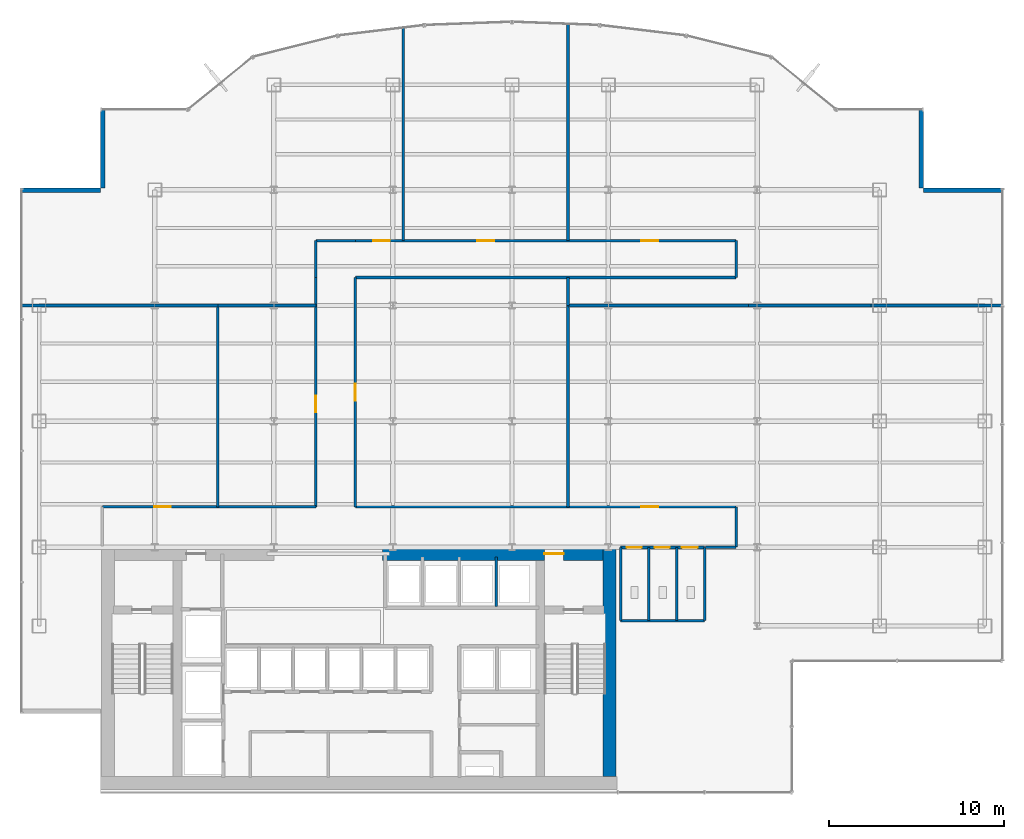
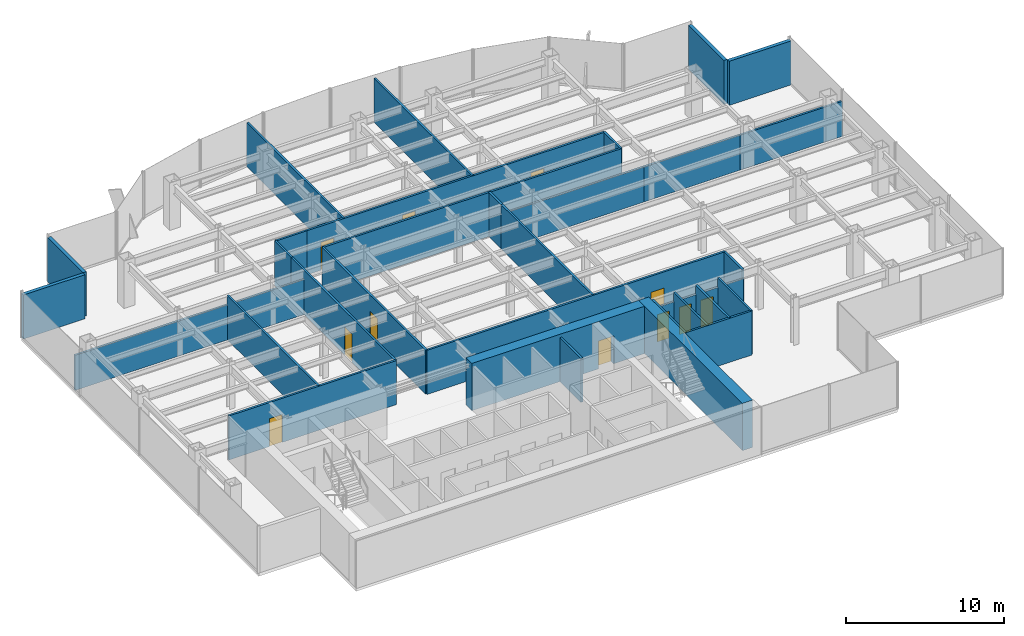
# One storey, part 22 of 26: 34 walls, 11 doors, 11 openings.
"""IFC4 building model written with IfcOpenShell, lengths in metres."""

import ifcopenshell
import ifcopenshell.guid

model = None  # the IFC model being written
_history = None  # IfcOwnerHistory: only IFC2X3 demands one
_inside = {}  # id of a spatial element -> (the spatial element, [elements in it])
_under = {}  # id of a project, library or spatial element -> (it, [spatial elements below it])
_declared = {}  # id of a project -> (the project, [libraries it declares])
_typed = {}  # id of a type object -> (the type object, [elements of that type])
_made_of = {}  # id of a material, layer set ... -> (it, [elements and type objects made of it])


def new_model(schema):
    """Start an empty IFC model of exactly this schema.

    Asked for "IFC4X3", IfcOpenShell would pick the latest addendum, in which some entities
    have other attributes; the version numbers below select the first issue.
    IFC2X3 requires an IfcOwnerHistory on every rooted entity: one is made here for all.
    """
    global model, _history
    if schema == "IFC4X3":
        model = ifcopenshell.file(schema_version=(4, 3, 0, 0))
    else:
        model = ifcopenshell.file(schema=schema)
    _inside.clear()
    _under.clear()
    _declared.clear()
    _typed.clear()
    _made_of.clear()
    _history = None
    if model.schema == "IFC2X3":
        org = make("IfcOrganization", Name="unknown")
        user = make(
            "IfcPersonAndOrganization",
            ThePerson=make("IfcPerson", FamilyName="unknown"),
            TheOrganization=org,
        )
        app = make(
            "IfcApplication",
            ApplicationDeveloper=org,
            Version="unknown",
            ApplicationFullName="unknown",
            ApplicationIdentifier="unknown",
        )
        _history = make(
            "IfcOwnerHistory",
            OwningUser=user,
            OwningApplication=app,
            ChangeAction="ADDED",
            CreationDate=0,
        )
    return model


def make(cls, **values):
    """One entity of the class cls with the attributes given. An attribute that is None is left unset."""
    return model.create_entity(
        cls, **{name: value for name, value in values.items() if value is not None}
    )


def rooted(cls, **values):
    """An entity with a GlobalId (a new one), such as an element, a storey or a relation."""
    return make(cls, GlobalId=ifcopenshell.guid.new(), OwnerHistory=_history, **values)


def si_unit(unit_type, name, prefix=None):
    """IfcSIUnit, for example si_unit("LENGTHUNIT", "METRE", prefix="MILLI")."""
    return make("IfcSIUnit", UnitType=unit_type, Prefix=prefix, Name=name)


def derived_unit(unit_type, elements):
    """IfcDerivedUnit: a product of units, each with its exponent."""
    return make(
        "IfcDerivedUnit",
        Elements=[
            make("IfcDerivedUnitElement", Unit=unit, Exponent=power)
            for unit, power in elements
        ],
        UnitType=unit_type,
    )


def assignment(units):
    """IfcUnitAssignment: the units of a project."""
    return None if units is None else make("IfcUnitAssignment", Units=units)


def point(xyz):
    """IfcCartesianPoint."""
    return None if xyz is None else make("IfcCartesianPoint", Coordinates=xyz)


def direction(xyz):
    """IfcDirection."""
    return None if xyz is None else make("IfcDirection", DirectionRatios=xyz)


def frame(location, z_axis=None, x_axis=None):
    """IfcAxis2Placement3D, a coordinate frame: its origin and axes. An axis left out is left unset."""
    return make(
        "IfcAxis2Placement3D",
        Location=point(location),
        Axis=direction(z_axis),
        RefDirection=direction(x_axis),
    )


def frame_2d(location, x_axis=None):
    """IfcAxis2Placement2D, a coordinate frame in the plane: its origin and x axis."""
    return make(
        "IfcAxis2Placement2D", Location=point(location), RefDirection=direction(x_axis)
    )


def origin():
    """The frame at (0, 0, 0) with its axes left unset."""
    return frame((0.0, 0.0, 0.0))


def place(relative_to, where):
    """IfcLocalPlacement: puts the frame where relative to a parent placement (None: the world)."""
    return make(
        "IfcLocalPlacement", PlacementRelTo=relative_to, RelativePlacement=where
    )


def context(
    kind, dimensions, precision=None, world=None, true_north=None, identifier=None
):
    """IfcGeometricRepresentationContext, for example the 3D "Model" context."""
    return make(
        "IfcGeometricRepresentationContext",
        ContextIdentifier=identifier,
        ContextType=kind,
        CoordinateSpaceDimension=dimensions,
        Precision=precision,
        WorldCoordinateSystem=world,
        TrueNorth=true_north,
    )


def subcontext(parent, identifier, kind, view, scale=None):
    """IfcGeometricRepresentationSubContext, for example "Body" below "Model"."""
    return make(
        "IfcGeometricRepresentationSubContext",
        ContextIdentifier=identifier,
        ContextType=kind,
        ParentContext=parent,
        TargetScale=scale,
        TargetView=view,
    )


def project(units=None, contexts=None):
    """IfcProject with its units and contexts."""
    return rooted(
        "IfcProject",
        Name="project",
        RepresentationContexts=contexts,
        UnitsInContext=assignment(units),
    )


def spatial(cls, under=None, at=None, **own):
    """A site, building, storey or space (cls), placed at a placement, below another one or the project."""
    s = rooted(cls, ObjectPlacement=at, **own)
    if under is not None:
        _under.setdefault(under.id(), (under, []))[1].append(s)
    return s


def profile(cls, at=None, kind="AREA", **sizes):
    """A parametric profile (cls). Its sizes go by their IFC names, for example OverallWidth=200.0."""
    return make(cls, ProfileType=kind, Position=at, **sizes)


def rectangle(**sizes):
    """IfcRectangleProfileDef."""
    return profile("IfcRectangleProfileDef", **sizes)


def extrude(swept, where, along, depth):
    """IfcExtrudedAreaSolid: the profile swept, set in the frame where, extruded along a direction by depth."""
    return make(
        "IfcExtrudedAreaSolid",
        SweptArea=swept,
        Position=where,
        ExtrudedDirection=direction(along),
        Depth=depth,
    )


def shape(context_of_items, identifier, shape_type, items):
    """IfcShapeRepresentation: the items that make up one representation, for example the "Body"."""
    return make(
        "IfcShapeRepresentation",
        ContextOfItems=context_of_items,
        RepresentationIdentifier=identifier,
        RepresentationType=shape_type,
        Items=items,
    )


def source(mapping_origin, context_of_items, identifier, shape_type, items):
    """IfcRepresentationMap: a shape defined once, which mapped items show again and again."""
    return make(
        "IfcRepresentationMap",
        MappingOrigin=mapping_origin,
        MappedRepresentation=shape(context_of_items, identifier, shape_type, items),
    )


def transform(
    local_origin,
    x_axis=None,
    y_axis=None,
    z_axis=None,
    scale=None,
    scale2=None,
    scale3=None,
    uniform=True,
):
    """IfcCartesianTransformationOperator3D, or its non-uniform kind. x_axis, y_axis, z_axis: its Axis1, 2, 3."""
    if uniform:
        return make(
            "IfcCartesianTransformationOperator3D",
            Axis1=direction(x_axis),
            Axis2=direction(y_axis),
            LocalOrigin=point(local_origin),
            Scale=scale,
            Axis3=direction(z_axis),
        )
    return make(
        "IfcCartesianTransformationOperator3DnonUniform",
        Axis1=direction(x_axis),
        Axis2=direction(y_axis),
        LocalOrigin=point(local_origin),
        Scale=scale,
        Axis3=direction(z_axis),
        Scale2=scale2,
        Scale3=scale3,
    )


def mapped(mapping_source, mapping_target):
    """IfcMappedItem: shows the shape of a source again, moved by a transform."""
    return make(
        "IfcMappedItem", MappingSource=mapping_source, MappingTarget=mapping_target
    )


def material(Name=None, Category=None):
    """IfcMaterial."""
    return make("IfcMaterial", Name=Name, Category=Category)


def layer(
    of_material, thickness, ventilated=None, Name=None, Category=None, Priority=None
):
    """IfcMaterialLayer: one layer of a wall or slab, of a material (None: an air gap)."""
    return make(
        "IfcMaterialLayer",
        Material=of_material,
        LayerThickness=thickness,
        IsVentilated=ventilated,
        Name=Name,
        Category=Category,
        Priority=Priority,
    )


def layer_set(layers, Name=None):
    """IfcMaterialLayerSet."""
    return make("IfcMaterialLayerSet", MaterialLayers=layers, LayerSetName=Name)


def made_of(thing, what):
    """Note that an element or type object is made of a material, layer set ...; save() writes the relation."""
    if what is not None:
        _made_of.setdefault(what.id(), (what, []))[1].append(thing)
    return thing


def type_object(cls, material=None, **own):
    """A type object (cls), such as IfcWallType, which elements share."""
    return made_of(rooted(cls, **own), material)


def element(
    cls,
    number,
    at=None,
    inside=None,
    cuts=None,
    type_object=None,
    material=None,
    context=None,
    identifier="Body",
    shape_type=None,
    held_by="IfcProductDefinitionShape",
    body=None,
    shapes=None,
    **own,
):
    """One element of the class cls, such as IfcWall. Its Tag is "e" and its number.

    at: its placement. inside: the storey or other place that contains it. cuts: it is an
    opening in that element (IfcRelVoidsElement). A single representation is given by context,
    identifier, shape_type and body (its items); several are given by shapes. held_by: the class
    of the entity that holds the representations. save() writes the other relations.
    """
    e = rooted(cls, Tag="e%d" % number, ObjectPlacement=at, **own)
    if body is not None:
        shapes = [shape(context, identifier, shape_type, body)]
    if shapes is not None:
        e.Representation = make(held_by, Representations=shapes)
    if inside is not None:
        _inside.setdefault(inside.id(), (inside, []))[1].append(e)
    if cuts is not None:
        rooted(
            "IfcRelVoidsElement", RelatingBuildingElement=cuts, RelatedOpeningElement=e
        )
    if type_object is not None:
        _typed.setdefault(type_object.id(), (type_object, []))[1].append(e)
    return made_of(e, material)


def fill(opening, filler):
    """IfcRelFillsElement: the door or window that sits in an opening."""
    return rooted(
        "IfcRelFillsElement",
        RelatingOpeningElement=opening,
        RelatedBuildingElement=filler,
    )


def aggregate(whole, parts):
    """IfcRelAggregates: a whole, such as a stair, and the parts it consists of."""
    return rooted("IfcRelAggregates", RelatingObject=whole, RelatedObjects=parts)


def save(model, path):
    """Write the relations noted so far, then the file.

    IfcRelAggregates (storeys below a building ...), IfcRelContainedInSpatialStructure (elements
    in a storey), IfcRelDefinesByType, IfcRelAssociatesMaterial and IfcRelDeclares: one each for
    every whole, place, type object, material and project.
    """
    for whole, parts in _under.values():
        aggregate(whole, parts)
    for where, things in _inside.values():
        rooted(
            "IfcRelContainedInSpatialStructure",
            RelatedElements=things,
            RelatingStructure=where,
        )
    for kind, things in _typed.values():
        rooted("IfcRelDefinesByType", RelatedObjects=things, RelatingType=kind)
    for what, things in _made_of.values():
        rooted("IfcRelAssociatesMaterial", RelatedObjects=things, RelatingMaterial=what)
    for by, libraries in _declared.values():
        rooted("IfcRelDeclares", RelatingContext=by, RelatedDefinitions=libraries)
    model.write(path)


model = new_model("IFC4")

# Units and contexts
model_context = context("Model", 3, precision=1e-05, world=origin(), true_north=direction((0.0, 1.0)))
body_context = subcontext(model_context, "Body", "Model", "MODEL_VIEW")
ifc_project = project(units=[si_unit("LENGTHUNIT", "METRE"), si_unit("AREAUNIT", "SQUARE_METRE"), si_unit("VOLUMEUNIT", "CUBIC_METRE"), si_unit("PLANEANGLEUNIT", "RADIAN"), si_unit("MASSUNIT", "GRAM", prefix="KILO"), derived_unit("THERMALTRANSMITTANCEUNIT", [(si_unit("POWERUNIT", "WATT"), 1), (si_unit("LENGTHUNIT", "METRE"), -2), (si_unit("THERMODYNAMICTEMPERATUREUNIT", "KELVIN"), -1)])], contexts=[model_context])

# Site, building, storey
site_placement = place(None, origin())
site = spatial("IfcSite", under=ifc_project, at=site_placement, CompositionType="ELEMENT")
building_placement = place(site_placement, origin())
building = spatial("IfcBuilding", under=site, at=building_placement, Name="Skarnbrae Concourse Arena and Tower", CompositionType="ELEMENT")
storey_placement = place(building_placement, frame((0.0, 0.0, 110.550048828125)))
storey = spatial("IfcBuildingStorey", under=building, at=storey_placement, Name="L27", CompositionType="ELEMENT", Elevation=110.550048828125)

# Wall
ifc_material_1 = material(Name="Concrete 60 MPa (C60/75)", Category="concrete")
ifc_layer_1 = layer(ifc_material_1, 0.75)
ifc_layer_set_1 = layer_set([ifc_layer_1], Name="Concrete 60 MPa (C60/75)")
wall_type_1 = type_object("IfcWallType", Name="WALL-CORE-750-C60", PredefinedType="SHEAR", material=ifc_layer_set_1)
shared_shape_1 = source(origin(), body_context, "Body", "SweptSolid", [
    extrude(rectangle(XDim=13.10009765625, YDim=0.75, at=frame_2d((6.550048828125, 0.0))), origin(), (0.0, 0.0, 1.0), 3.64990234375),
])
wall_1_placement = place(storey_placement, frame((33.574951171875, 0.89990234375, 0.0), z_axis=(0.0, 0.0, 1.0), x_axis=(0.0, 1.0, 0.0)))
element("IfcWall", 1, at=wall_1_placement, inside=storey, type_object=wall_type_1, Name="L27 Rear core shear wall CW-E", PredefinedType="SHEAR", context=body_context, shape_type="MappedRepresentation", body=[
    mapped(shared_shape_1, transform((0.0, 0.0, 0.0))),
])

# Wall, opening, door
shared_shape_2 = source(origin(), body_context, "Body", "SweptSolid", [
    extrude(rectangle(XDim=12.599853515625, YDim=0.75, at=frame_2d((6.2998046875, 0.0))), origin(), (0.0, 0.0, 1.0), 3.64990234375),
])
wall_2_placement = place(storey_placement, frame((20.60009765625, 13.625, 0.0), z_axis=(0.0, 0.0, 1.0), x_axis=(1.0, 0.0, 0.0)))
wall_2 = element("IfcWall", 2, at=wall_2_placement, inside=storey, type_object=wall_type_1, Name="L27 Rear core shear wall CW-NE", PredefinedType="SHEAR", context=body_context, shape_type="MappedRepresentation", body=[
    mapped(shared_shape_2, transform((0.0, 0.0, 0.0))),
])
opening_1_placement = place(wall_2_placement, frame((9.25, 0.0, 0.0)))
opening_1 = element("IfcOpeningElement", 3, at=opening_1_placement, cuts=wall_2, Name="Opening DT-03", PredefinedType="OPENING", context=body_context, shape_type="SweptSolid", body=[
    extrude(rectangle(XDim=1.10009765625, YDim=2.14990234375, at=frame_2d((0.550048828125, 1.074951171875))), frame((0.0, 0.385009765625, 0.0), z_axis=(0.0, -1.0, 0.0), x_axis=(1.0, 0.0, 0.0)), (0.0, 0.0, 1.0), 0.77001953125),
])
ifc_material_2 = material(Name="Steel CSA G40.21 350W", Category="steel")
door_type_1 = type_object("IfcDoorType", Name="DOOR-FIRE-1100-90M", OperationType="NOTDEFINED", PredefinedType="DOOR", material=ifc_material_2)
shared_shape_3 = source(origin(), body_context, "Body", "SweptSolid", [
    extrude(rectangle(XDim=1.10009765625, YDim=2.14990234375, at=frame_2d((0.550048828125, 1.074951171875))), frame((0.0, 0.02490234375, 0.0), z_axis=(0.0, -1.0, 0.0), x_axis=(1.0, 0.0, 0.0)), (0.0, 0.0, 1.0), 0.050048828125),
])
door_1_placement = place(opening_1_placement, origin())
door_1 = element("IfcDoor", 4, at=door_1_placement, inside=storey, type_object=door_type_1, Name="D-0897 Stair ST-2 Vestibule Door", OperationType="SINGLE_SWING_LEFT", OverallHeight=2.14990234375, OverallWidth=1.10009765625, PredefinedType="DOOR", context=body_context, shape_type="MappedRepresentation", body=[
    mapped(shared_shape_3, transform((0.0, 0.0, 0.0))),
])
fill(opening_1, door_1)

# Walls
ifc_material_3 = material(Name="Precast concrete 40 MPa (C40/50)", Category="concrete")
ifc_layer_2 = layer(ifc_material_3, 0.25)
ifc_layer_set_2 = layer_set([ifc_layer_2], Name="Precast concrete 40 MPa (C40/50)")
wall_type_2 = type_object("IfcWallType", Name="WALL-EXT-SPANDREL-250", PredefinedType="STANDARD", material=ifc_layer_set_2)
shared_shape_4 = source(origin(), body_context, "Body", "SweptSolid", [
    extrude(rectangle(XDim=4.5, YDim=0.25, at=frame_2d((2.25, 0.0))), origin(), (0.0, 0.0, 1.0), 3.39990234375),
])
for number, where, z_axis, x_axis, name in (
    (5, (56.0, 34.375, 0.0), (0.0, 0.0, 1.0), (-1.0, 0.0, 0.0), "L27 Notched corner insulated return wall 05"),
    (6, (51.375, 34.5, 0.0), (0.0, 0.0, 1.0), (0.0, 1.0, 0.0), "L27 Notched corner insulated return wall 06"),
    (7, (4.625, 39.0, 0.0), (0.0, 0.0, 1.0), (0.0, -1.0, 0.0), "L27 Notched corner insulated return wall 17"),
    (8, (4.5, 34.375, 0.0), (0.0, 0.0, 1.0), (-1.0, 0.0, 0.0), "L27 Notched corner insulated return wall 18"),
):
    element("IfcWall", number, at=place(storey_placement, frame(where, z_axis=z_axis, x_axis=x_axis)), inside=storey, type_object=wall_type_2, Name=name, PredefinedType="STANDARD", context=body_context, shape_type="MappedRepresentation", body=[
        mapped(shared_shape_4, transform((0.0, 0.0, 0.0))),
    ])
ifc_material_4 = material(Name="Gypsum board on cold-formed steel studs", Category="steel")
ifc_layer_3 = layer(ifc_material_4, 0.14990234375)
ifc_layer_set_3 = layer_set([ifc_layer_3], Name="Gypsum board on cold-formed steel studs")
wall_type_3 = type_object("IfcWallType", Name="WALL-PART-150", PredefinedType="PARTITIONING", material=ifc_layer_set_3)
shared_shape_5 = source(origin(), body_context, "Body", "SweptSolid", [
    extrude(rectangle(XDim=2.849853515625, YDim=0.14990234375, at=frame_2d((1.4248046875, 0.0))), origin(), (0.0, 0.0, 1.0), 3.39990234375),
])
wall_3_placement = place(storey_placement, frame((27.090087890625, 10.60009765625, 0.0), z_axis=(0.0, 0.0, 1.0), x_axis=(0.0, 1.0, 0.0)))
element("IfcWall", 9, at=wall_3_placement, inside=storey, type_object=wall_type_3, Name="L27 Interior partition wall W-L27-B3N-P3", PredefinedType="PARTITIONING", context=body_context, shape_type="MappedRepresentation", body=[
    mapped(shared_shape_5, transform((0.0, 0.0, 0.0))),
])
shared_shape_6 = source(origin(), body_context, "Body", "SweptSolid", [
    extrude(rectangle(XDim=4.800048828125, YDim=0.14990234375, at=frame_2d((2.39990234375, 0.0))), origin(), (0.0, 0.0, 1.0), 3.39990234375),
])
wall_4_placement = place(storey_placement, frame((34.199951171875, 9.800048828125, 0.0), z_axis=(0.0, 0.0, 1.0), x_axis=(1.0, 0.0, 0.0)))
element("IfcWall", 10, at=wall_4_placement, inside=storey, type_object=wall_type_3, Name="L27 Interior partition wall W-L27-WC-S", PredefinedType="PARTITIONING", context=body_context, shape_type="MappedRepresentation", body=[
    mapped(shared_shape_6, transform((0.0, 0.0, 0.0))),
])
shared_shape_7 = source(origin(), body_context, "Body", "SweptSolid", [
    extrude(rectangle(XDim=4.179931640625, YDim=0.14990234375, at=frame_2d((2.08984375, 0.0))), origin(), (0.0, 0.0, 1.0), 3.39990234375),
])
for number, where, z_axis, x_axis, name in (
    (11, (39.0, 9.800048828125, 0.0), (0.0, 0.0, 1.0), (0.0, 1.0, 0.0), "L27 Interior partition wall W-L27-WC-E"),
    (12, (34.199951171875, 9.800048828125, 0.0), (0.0, 0.0, 1.0), (0.0, 1.0, 0.0), "L27 Interior partition wall W-L27-WC-W"),
    (13, (35.800048828125, 9.800048828125, 0.0), (0.0, 0.0, 1.0), (0.0, 1.0, 0.0), "L27 Interior partition wall W-L27-WC-D1"),
    (14, (37.39990234375, 9.800048828125, 0.0), (0.0, 0.0, 1.0), (0.0, 1.0, 0.0), "L27 Interior partition wall W-L27-WC-D2"),
):
    element("IfcWall", number, at=place(storey_placement, frame(where, z_axis=z_axis, x_axis=x_axis)), inside=storey, type_object=wall_type_3, Name=name, PredefinedType="PARTITIONING", context=body_context, shape_type="MappedRepresentation", body=[
        mapped(shared_shape_7, transform((0.0, 0.0, 0.0))),
    ])
ifc_layer_4 = layer(ifc_material_4, 0.14990234375)
ifc_layer_set_4 = layer_set([ifc_layer_4], Name="Gypsum board on cold-formed steel studs")
wall_type_4 = type_object("IfcWallType", Name="WALL-PART-150-1HR", PredefinedType="PARTITIONING", material=ifc_layer_set_4)
shared_shape_8 = source(origin(), body_context, "Body", "SweptSolid", [
    extrude(rectangle(XDim=2.25, YDim=0.14990234375, at=frame_2d((1.125, 0.0))), origin(), (0.0, 0.0, 1.0), 3.39990234375),
])
wall_5_placement = place(storey_placement, frame((16.800048828125, 31.5, 0.0), z_axis=(0.0, 0.0, 1.0), x_axis=(1.0, 0.0, 0.0)))
element("IfcWall", 15, at=wall_5_placement, inside=storey, type_object=wall_type_4, Name="L27 Interior partition wall W-L27-COR-05", PredefinedType="PARTITIONING", context=body_context, shape_type="MappedRepresentation", body=[
    mapped(shared_shape_8, transform((0.0, 0.0, 0.0))),
])

# Wall, openings, doors
shared_shape_9 = source(origin(), body_context, "Body", "SweptSolid", [
    extrude(rectangle(XDim=4.800048828125, YDim=0.14990234375, at=frame_2d((2.39990234375, 0.0))), origin(), (0.0, 0.0, 1.0), 2.701904296875),
])
wall_6_placement = place(storey_placement, frame((34.199951171875, 13.97998046875, 0.0), z_axis=(0.0, 0.0, 1.0), x_axis=(1.0, 0.0, 0.0)))
wall_6 = element("IfcWall", 16, at=wall_6_placement, inside=storey, type_object=wall_type_3, Name="L27 Interior partition wall W-L27-WC-N", PredefinedType="PARTITIONING", context=body_context, shape_type="MappedRepresentation", body=[
    mapped(shared_shape_9, transform((0.0, 0.0, 0.0))),
])
opening_2_placement = place(wall_6_placement, frame((0.35009765625, 0.0, 0.0)))
opening_2 = element("IfcOpeningElement", 17, at=opening_2_placement, cuts=wall_6, Name="Opening DT-06", PredefinedType="OPENING", context=body_context, shape_type="SweptSolid", body=[
    extrude(rectangle(XDim=0.85009765625, YDim=2.10009765625, at=frame_2d((0.425048828125, 1.050048828125))), frame((0.0, 0.0849609375, 0.0), z_axis=(0.0, -1.0, 0.0), x_axis=(1.0, 0.0, 0.0)), (0.0, 0.0, 1.0), 0.169921875),
])
opening_3_placement = place(wall_6_placement, frame((1.949951171875, 0.0, 0.0)))
opening_3 = element("IfcOpeningElement", 18, at=opening_3_placement, cuts=wall_6, Name="Opening DT-06", PredefinedType="OPENING", context=body_context, shape_type="SweptSolid", body=[
    extrude(rectangle(XDim=0.85009765625, YDim=2.10009765625, at=frame_2d((0.425048828125, 1.050048828125))), frame((0.0, 0.0849609375, 0.0), z_axis=(0.0, -1.0, 0.0), x_axis=(1.0, 0.0, 0.0)), (0.0, 0.0, 1.0), 0.169921875),
])
opening_4_placement = place(wall_6_placement, frame((3.5, 0.0, 0.0)))
opening_4 = element("IfcOpeningElement", 19, at=opening_4_placement, cuts=wall_6, Name="Opening DT-05", PredefinedType="OPENING", context=body_context, shape_type="SweptSolid", body=[
    extrude(rectangle(XDim=0.89990234375, YDim=2.10009765625, at=frame_2d((0.449951171875, 1.050048828125))), frame((0.0, 0.0849609375, 0.0), z_axis=(0.0, -1.0, 0.0), x_axis=(1.0, 0.0, 0.0)), (0.0, 0.0, 1.0), 0.169921875),
])
ifc_material_5 = material(Name="Architectural oak veneer timber leaf", Category="wood")
door_type_2 = type_object("IfcDoorType", Name="DOOR-INT-850", OperationType="NOTDEFINED", PredefinedType="DOOR", material=ifc_material_5)
shared_shape_10 = source(origin(), body_context, "Body", "SweptSolid", [
    extrude(rectangle(XDim=0.85009765625, YDim=2.10009765625, at=frame_2d((0.425048828125, 1.050048828125))), frame((0.0, 0.02490234375, 0.0), z_axis=(0.0, -1.0, 0.0), x_axis=(1.0, 0.0, 0.0)), (0.0, 0.0, 1.0), 0.050048828125),
])
door_2_placement = place(opening_2_placement, frame((0.85009765625, 0.0, 0.0), z_axis=(0.0, 0.0, 1.0), x_axis=(-1.0, 0.0, 0.0)))
door_2 = element("IfcDoor", 20, at=door_2_placement, inside=storey, type_object=door_type_2, Name="D-0911 Male Washroom Door", OperationType="SINGLE_SWING_LEFT", OverallHeight=2.10009765625, OverallWidth=0.85009765625, PredefinedType="DOOR", context=body_context, shape_type="MappedRepresentation", body=[
    mapped(shared_shape_10, transform((0.0, 0.0, 0.0))),
])
fill(opening_2, door_2)
door_3_placement = place(opening_3_placement, frame((0.85009765625, 0.0, 0.0), z_axis=(0.0, 0.0, 1.0), x_axis=(-1.0, 0.0, 0.0)))
door_3 = element("IfcDoor", 21, at=door_3_placement, inside=storey, type_object=door_type_2, Name="D-0912 Female Washroom Door", OperationType="SINGLE_SWING_RIGHT", OverallHeight=2.10009765625, OverallWidth=0.85009765625, PredefinedType="DOOR", context=body_context, shape_type="MappedRepresentation", body=[
    mapped(shared_shape_10, transform((0.0, 0.0, 0.0))),
])
fill(opening_3, door_3)
door_type_3 = type_object("IfcDoorType", Name="DOOR-INT-900", OperationType="NOTDEFINED", PredefinedType="DOOR", material=ifc_material_5)
shared_shape_11 = source(origin(), body_context, "Body", "SweptSolid", [
    extrude(rectangle(XDim=0.89990234375, YDim=2.10009765625, at=frame_2d((0.449951171875, 1.050048828125))), frame((0.0, 0.02490234375, 0.0), z_axis=(0.0, -1.0, 0.0), x_axis=(1.0, 0.0, 0.0)), (0.0, 0.0, 1.0), 0.050048828125),
])
door_4_placement = place(opening_4_placement, frame((0.89990234375, 0.0, 0.0), z_axis=(0.0, 0.0, 1.0), x_axis=(-1.0, 0.0, 0.0)))
door_4 = element("IfcDoor", 22, at=door_4_placement, inside=storey, type_object=door_type_3, Name="D-0913 Accessible WC Door", OperationType="SINGLE_SWING_LEFT", OverallHeight=2.10009765625, OverallWidth=0.89990234375, PredefinedType="DOOR", context=body_context, shape_type="MappedRepresentation", body=[
    mapped(shared_shape_11, transform((0.0, 0.0, 0.0))),
])
fill(opening_4, door_4)

# Wall, opening, door
shared_shape_12 = source(origin(), body_context, "Body", "SweptSolid", [
    extrude(rectangle(XDim=12.199951171875, YDim=0.14990234375, at=frame_2d((6.10009765625, 0.0))), origin(), (0.0, 0.0, 1.0), 3.39990234375),
])
wall_7_placement = place(storey_placement, frame((4.60009765625, 16.300048828125, 0.0), z_axis=(0.0, 0.0, 1.0), x_axis=(1.0, 0.0, 0.0)))
wall_7 = element("IfcWall", 23, at=wall_7_placement, inside=storey, type_object=wall_type_4, Name="L27 Interior partition wall W-L27-COR-02", PredefinedType="PARTITIONING", context=body_context, shape_type="MappedRepresentation", body=[
    mapped(shared_shape_12, transform((0.0, 0.0, 0.0))),
])
opening_5_placement = place(wall_7_placement, frame((2.955078125, 0.0, 0.0)))
opening_5 = element("IfcOpeningElement", 24, at=opening_5_placement, cuts=wall_7, Name="Opening DT-04", PredefinedType="OPENING", context=body_context, shape_type="SweptSolid", body=[
    extrude(rectangle(XDim=0.949951171875, YDim=2.14990234375, at=frame_2d((0.47509765625, 1.074951171875))), frame((0.0, 0.0849609375, 0.0), z_axis=(0.0, -1.0, 0.0), x_axis=(1.0, 0.0, 0.0)), (0.0, 0.0, 1.0), 0.169921875),
])
door_type_4 = type_object("IfcDoorType", Name="DOOR-INT-950-45M", OperationType="NOTDEFINED", PredefinedType="DOOR", material=ifc_material_2)
shared_shape_13 = source(origin(), body_context, "Body", "SweptSolid", [
    extrude(rectangle(XDim=0.949951171875, YDim=2.14990234375, at=frame_2d((0.47509765625, 1.074951171875))), frame((0.0, 0.02490234375, 0.0), z_axis=(0.0, -1.0, 0.0), x_axis=(1.0, 0.0, 0.0)), (0.0, 0.0, 1.0), 0.050048828125),
])
door_5_placement = place(opening_5_placement, origin())
door_5 = element("IfcDoor", 25, at=door_5_placement, inside=storey, type_object=door_type_4, Name="D-0914 L27 Suite Door 01", OperationType="SINGLE_SWING_LEFT", OverallHeight=2.14990234375, OverallWidth=0.949951171875, PredefinedType="DOOR", context=body_context, shape_type="MappedRepresentation", body=[
    mapped(shared_shape_13, transform((0.0, 0.0, 0.0))),
])
fill(opening_5, door_5)

shared_shape_14 = source(origin(), body_context, "Body", "SweptSolid", [
    extrude(rectangle(XDim=13.099853515625, YDim=0.14990234375, at=frame_2d((6.5498046875, 0.0))), origin(), (0.0, 0.0, 1.0), 3.39990234375),
])
wall_8_placement = place(storey_placement, frame((16.800048828125, 16.300048828125, 0.0), z_axis=(0.0, 0.0, 1.0), x_axis=(0.0, 1.0, 0.0)))
wall_8 = element("IfcWall", 26, at=wall_8_placement, inside=storey, type_object=wall_type_4, Name="L27 Interior partition wall W-L27-COR-03", PredefinedType="PARTITIONING", context=body_context, shape_type="MappedRepresentation", body=[
    mapped(shared_shape_14, transform((0.0, 0.0, 0.0))),
])
opening_6_placement = place(wall_8_placement, frame((5.405029296875, 0.0, 0.0)))
opening_6 = element("IfcOpeningElement", 27, at=opening_6_placement, cuts=wall_8, Name="Opening DT-04", PredefinedType="OPENING", context=body_context, shape_type="SweptSolid", body=[
    extrude(rectangle(XDim=0.949951171875, YDim=2.14990234375, at=frame_2d((0.47509765625, 1.074951171875))), frame((0.0, 0.0849609375, 0.0), z_axis=(0.0, -1.0, 0.0), x_axis=(1.0, 0.0, 0.0)), (0.0, 0.0, 1.0), 0.169921875),
])
door_6_placement = place(opening_6_placement, origin())
door_6 = element("IfcDoor", 28, at=door_6_placement, inside=storey, type_object=door_type_4, Name="D-0916 L27 Suite Door 03", OperationType="SINGLE_SWING_LEFT", OverallHeight=2.14990234375, OverallWidth=0.949951171875, PredefinedType="DOOR", context=body_context, shape_type="MappedRepresentation", body=[
    mapped(shared_shape_13, transform((0.0, 0.0, 0.0))),
])
fill(opening_6, door_6)

wall_9_placement = place(storey_placement, frame((19.050048828125, 29.39990234375, 0.0), z_axis=(0.0, 0.0, 1.0), x_axis=(0.0, -1.0, 0.0)))
wall_9 = element("IfcWall", 29, at=wall_9_placement, inside=storey, type_object=wall_type_4, Name="L27 Interior partition wall W-L27-COR-09", PredefinedType="PARTITIONING", context=body_context, shape_type="MappedRepresentation", body=[
    mapped(shared_shape_14, transform((0.0, 0.0, 0.0))),
])
opening_7_placement = place(wall_9_placement, frame((6.074951171875, 0.0, 0.0)))
opening_7 = element("IfcOpeningElement", 30, at=opening_7_placement, cuts=wall_9, Name="Opening DT-04", PredefinedType="OPENING", context=body_context, shape_type="SweptSolid", body=[
    extrude(rectangle(XDim=0.949951171875, YDim=2.14990234375, at=frame_2d((0.47509765625, 1.074951171875))), frame((0.0, 0.0849609375, 0.0), z_axis=(0.0, -1.0, 0.0), x_axis=(1.0, 0.0, 0.0)), (0.0, 0.0, 1.0), 0.169921875),
])
door_7_placement = place(opening_7_placement, origin())
door_7 = element("IfcDoor", 31, at=door_7_placement, inside=storey, type_object=door_type_4, Name="D-0917 L27 Suite Door 04", OperationType="SINGLE_SWING_RIGHT", OverallHeight=2.14990234375, OverallWidth=0.949951171875, PredefinedType="DOOR", context=body_context, shape_type="MappedRepresentation", body=[
    mapped(shared_shape_13, transform((0.0, 0.0, 0.0))),
])
fill(opening_7, door_7)

# Walls
shared_shape_15 = source(origin(), body_context, "Body", "SweptSolid", [
    extrude(rectangle(XDim=2.10009765625, YDim=0.14990234375, at=frame_2d((1.050048828125, 0.0))), origin(), (0.0, 0.0, 1.0), 3.39990234375),
])
for number, where, z_axis, x_axis, name in (
    (32, (16.800048828125, 29.39990234375, 0.0), (0.0, 0.0, 1.0), (0.0, 1.0, 0.0), "L27 Interior partition wall W-L27-COR-04"),
    (33, (40.800048828125, 31.5, 0.0), (0.0, 0.0, 1.0), (0.0, -1.0, 0.0), "L27 Interior partition wall W-L27-COR-07"),
):
    element("IfcWall", number, at=place(storey_placement, frame(where, z_axis=z_axis, x_axis=x_axis)), inside=storey, type_object=wall_type_4, Name=name, PredefinedType="PARTITIONING", context=body_context, shape_type="MappedRepresentation", body=[
        mapped(shared_shape_15, transform((0.0, 0.0, 0.0))),
    ])

# Wall, openings, doors
shared_shape_16 = source(origin(), body_context, "Body", "SweptSolid", [
    extrude(rectangle(XDim=21.75, YDim=0.14990234375, at=frame_2d((10.875, 0.0))), origin(), (0.0, 0.0, 1.0), 3.39990234375),
])
wall_10_placement = place(storey_placement, frame((19.050048828125, 31.5, 0.0), z_axis=(0.0, 0.0, 1.0), x_axis=(1.0, 0.0, 0.0)))
wall_10 = element("IfcWall", 34, at=wall_10_placement, inside=storey, type_object=wall_type_4, Name="L27 Interior partition wall W-L27-COR-06", PredefinedType="PARTITIONING", context=body_context, shape_type="MappedRepresentation", body=[
    mapped(shared_shape_16, transform((0.0, 0.0, 0.0))),
])
opening_8_placement = place(wall_10_placement, frame((1.030029296875, 0.0, 0.0)))
opening_8 = element("IfcOpeningElement", 35, at=opening_8_placement, cuts=wall_10, Name="Opening DT-04", PredefinedType="OPENING", context=body_context, shape_type="SweptSolid", body=[
    extrude(rectangle(XDim=0.949951171875, YDim=2.14990234375, at=frame_2d((0.47509765625, 1.074951171875))), frame((0.0, 0.0849609375, 0.0), z_axis=(0.0, -1.0, 0.0), x_axis=(1.0, 0.0, 0.0)), (0.0, 0.0, 1.0), 0.169921875),
])
opening_9_placement = place(wall_10_placement, frame((6.97509765625, 0.0, 0.0)))
opening_9 = element("IfcOpeningElement", 36, at=opening_9_placement, cuts=wall_10, Name="Opening DT-04", PredefinedType="OPENING", context=body_context, shape_type="SweptSolid", body=[
    extrude(rectangle(XDim=0.949951171875, YDim=2.14990234375, at=frame_2d((0.47509765625, 1.074951171875))), frame((0.0, 0.0849609375, 0.0), z_axis=(0.0, -1.0, 0.0), x_axis=(1.0, 0.0, 0.0)), (0.0, 0.0, 1.0), 0.169921875),
])
opening_10_placement = place(wall_10_placement, frame((16.344970703125, 0.0, 0.0)))
opening_10 = element("IfcOpeningElement", 37, at=opening_10_placement, cuts=wall_10, Name="Opening DT-04", PredefinedType="OPENING", context=body_context, shape_type="SweptSolid", body=[
    extrude(rectangle(XDim=0.949951171875, YDim=2.14990234375, at=frame_2d((0.47509765625, 1.074951171875))), frame((0.0, 0.0849609375, 0.0), z_axis=(0.0, -1.0, 0.0), x_axis=(1.0, 0.0, 0.0)), (0.0, 0.0, 1.0), 0.169921875),
])
door_8_placement = place(opening_8_placement, origin())
door_8 = element("IfcDoor", 38, at=door_8_placement, inside=storey, type_object=door_type_4, Name="D-0915 L27 Suite Door 02", OperationType="SINGLE_SWING_RIGHT", OverallHeight=2.14990234375, OverallWidth=0.949951171875, PredefinedType="DOOR", context=body_context, shape_type="MappedRepresentation", body=[
    mapped(shared_shape_13, transform((0.0, 0.0, 0.0))),
])
fill(opening_8, door_8)
door_9_placement = place(opening_9_placement, origin())
door_9 = element("IfcDoor", 39, at=door_9_placement, inside=storey, type_object=door_type_4, Name="D-0918 L27 Suite Door 05", OperationType="SINGLE_SWING_LEFT", OverallHeight=2.14990234375, OverallWidth=0.949951171875, PredefinedType="DOOR", context=body_context, shape_type="MappedRepresentation", body=[
    mapped(shared_shape_13, transform((0.0, 0.0, 0.0))),
])
fill(opening_9, door_9)
door_10_placement = place(opening_10_placement, origin())
door_10 = element("IfcDoor", 40, at=door_10_placement, inside=storey, type_object=door_type_4, Name="D-0919 L27 Suite Door 06", OperationType="SINGLE_SWING_RIGHT", OverallHeight=2.14990234375, OverallWidth=0.949951171875, PredefinedType="DOOR", context=body_context, shape_type="MappedRepresentation", body=[
    mapped(shared_shape_13, transform((0.0, 0.0, 0.0))),
])
fill(opening_10, door_10)

# Wall
wall_11_placement = place(storey_placement, frame((40.800048828125, 29.39990234375, 0.0), z_axis=(0.0, 0.0, 1.0), x_axis=(-1.0, 0.0, 0.0)))
element("IfcWall", 41, at=wall_11_placement, inside=storey, type_object=wall_type_4, Name="L27 Interior partition wall W-L27-COR-08", PredefinedType="PARTITIONING", context=body_context, shape_type="MappedRepresentation", body=[
    mapped(shared_shape_16, transform((0.0, 0.0, 0.0))),
])

# Wall, opening, door
wall_12_placement = place(storey_placement, frame((19.050048828125, 16.300048828125, 0.0), z_axis=(0.0, 0.0, 1.0), x_axis=(1.0, 0.0, 0.0)))
wall_12 = element("IfcWall", 42, at=wall_12_placement, inside=storey, type_object=wall_type_4, Name="L27 Interior partition wall W-L27-COR-10", PredefinedType="PARTITIONING", context=body_context, shape_type="MappedRepresentation", body=[
    mapped(shared_shape_16, transform((0.0, 0.0, 0.0))),
])
opening_11_placement = place(wall_12_placement, frame((16.344970703125, 0.0, 0.0)))
opening_11 = element("IfcOpeningElement", 43, at=opening_11_placement, cuts=wall_12, Name="Opening DT-04", PredefinedType="OPENING", context=body_context, shape_type="SweptSolid", body=[
    extrude(rectangle(XDim=0.949951171875, YDim=2.14990234375, at=frame_2d((0.47509765625, 1.074951171875))), frame((0.0, 0.0849609375, 0.0), z_axis=(0.0, -1.0, 0.0), x_axis=(1.0, 0.0, 0.0)), (0.0, 0.0, 1.0), 0.169921875),
])
door_11_placement = place(opening_11_placement, origin())
door_11 = element("IfcDoor", 44, at=door_11_placement, inside=storey, type_object=door_type_4, Name="D-0920 L27 Suite Door 07", OperationType="SINGLE_SWING_LEFT", OverallHeight=2.14990234375, OverallWidth=0.949951171875, PredefinedType="DOOR", context=body_context, shape_type="MappedRepresentation", body=[
    mapped(shared_shape_13, transform((0.0, 0.0, 0.0))),
])
fill(opening_11, door_11)

# Walls
shared_shape_17 = source(origin(), body_context, "Body", "SweptSolid", [
    extrude(rectangle(XDim=2.300048828125, YDim=0.14990234375, at=frame_2d((1.14990234375, 0.0))), origin(), (0.0, 0.0, 1.0), 3.39990234375),
])
wall_13_placement = place(storey_placement, frame((40.800048828125, 16.300048828125, 0.0), z_axis=(0.0, 0.0, 1.0), x_axis=(0.0, -1.0, 0.0)))
element("IfcWall", 45, at=wall_13_placement, inside=storey, type_object=wall_type_4, Name="L27 Interior partition wall W-L27-COR-11", PredefinedType="PARTITIONING", context=body_context, shape_type="MappedRepresentation", body=[
    mapped(shared_shape_17, transform((0.0, 0.0, 0.0))),
])
shared_shape_18 = source(origin(), body_context, "Body", "SweptSolid", [
    extrude(rectangle(XDim=1.75, YDim=0.14990234375, at=frame_2d((0.875, 0.0))), origin(), (0.0, 0.0, 1.0), 2.701904296875),
])
wall_14_placement = place(storey_placement, frame((40.800048828125, 14.0, 0.0), z_axis=(0.0, 0.0, 1.0), x_axis=(-1.0, 0.0, 0.0)))
element("IfcWall", 46, at=wall_14_placement, inside=storey, type_object=wall_type_4, Name="L27 Interior partition wall W-L27-COR-12", PredefinedType="PARTITIONING", context=body_context, shape_type="MappedRepresentation", body=[
    mapped(shared_shape_18, transform((0.0, 0.0, 0.0))),
])
shared_shape_19 = source(origin(), body_context, "Body", "SweptSolid", [
    extrude(rectangle(XDim=11.179931640625, YDim=0.14990234375, at=frame_2d((5.58984375, 0.0))), origin(), (0.0, 0.0, 1.0), 2.701904296875),
])
wall_15_placement = place(storey_placement, frame((0.02001953125, 27.800048828125, 0.0), z_axis=(0.0, 0.0, 1.0), x_axis=(1.0, 0.0, 0.0)))
element("IfcWall", 47, at=wall_15_placement, inside=storey, type_object=wall_type_3, Name="L27 Interior partition wall W-L27-DEM-13", PredefinedType="PARTITIONING", context=body_context, shape_type="MappedRepresentation", body=[
    mapped(shared_shape_19, transform((0.0, 0.0, 0.0))),
])
shared_shape_20 = source(origin(), body_context, "Body", "SweptSolid", [
    extrude(rectangle(XDim=11.5, YDim=0.14990234375, at=frame_2d((5.75, 0.0))), origin(), (0.0, 0.0, 1.0), 3.39990234375),
])
for number, where, z_axis, x_axis, name in (
    (48, (11.199951171875, 27.800048828125, 0.0), (0.0, 0.0, 1.0), (0.0, -1.0, 0.0), "L27 Interior partition wall W-L27-DEM-14"),
    (49, (31.199951171875, 27.800048828125, 0.0), (0.0, 0.0, 1.0), (0.0, -1.0, 0.0), "L27 Interior partition wall W-L27-DEM-17"),
):
    element("IfcWall", number, at=place(storey_placement, frame(where, z_axis=z_axis, x_axis=x_axis)), inside=storey, type_object=wall_type_3, Name=name, PredefinedType="PARTITIONING", context=body_context, shape_type="MappedRepresentation", body=[
        mapped(shared_shape_20, transform((0.0, 0.0, 0.0))),
    ])
shared_shape_21 = source(origin(), body_context, "Body", "SweptSolid", [
    extrude(rectangle(XDim=5.60009765625, YDim=0.14990234375, at=frame_2d((2.800048828125, 0.0))), origin(), (0.0, 0.0, 1.0), 2.701904296875),
])
wall_16_placement = place(storey_placement, frame((16.800048828125, 27.800048828125, 0.0), z_axis=(0.0, 0.0, 1.0), x_axis=(-1.0, 0.0, 0.0)))
element("IfcWall", 50, at=wall_16_placement, inside=storey, type_object=wall_type_3, Name="L27 Interior partition wall W-L27-DEM-15", PredefinedType="PARTITIONING", context=body_context, shape_type="MappedRepresentation", body=[
    mapped(shared_shape_21, transform((0.0, 0.0, 0.0))),
])
shared_shape_22 = source(origin(), body_context, "Body", "SweptSolid", [
    extrude(rectangle(XDim=12.1484375, YDim=0.14990234375, at=frame_2d((6.07421875, 0.0))), origin(), (0.0, 0.0, 1.0), 3.39990234375),
])
wall_17_placement = place(storey_placement, frame((21.800048828125, 43.6484375, 0.0), z_axis=(0.0, 0.0, 1.0), x_axis=(0.0, -1.0, 0.0)))
element("IfcWall", 51, at=wall_17_placement, inside=storey, type_object=wall_type_3, Name="L27 Interior partition wall W-L27-DEM-16", PredefinedType="PARTITIONING", context=body_context, shape_type="MappedRepresentation", body=[
    mapped(shared_shape_22, transform((0.0, 0.0, 0.0))),
])
shared_shape_23 = source(origin(), body_context, "Body", "SweptSolid", [
    extrude(rectangle(XDim=7.47998046875, YDim=0.14990234375, at=frame_2d((3.739990234375, 0.0))), origin(), (0.0, 0.0, 1.0), 2.701904296875),
])
wall_18_placement = place(storey_placement, frame((55.97998046875, 27.800048828125, 0.0), z_axis=(0.0, 0.0, 1.0), x_axis=(-1.0, 0.0, 0.0)))
element("IfcWall", 52, at=wall_18_placement, inside=storey, type_object=wall_type_3, Name="L27 Interior partition wall W-L27-DEM-18", PredefinedType="PARTITIONING", context=body_context, shape_type="MappedRepresentation", body=[
    mapped(shared_shape_23, transform((0.0, 0.0, 0.0))),
])
shared_shape_24 = source(origin(), body_context, "Body", "SweptSolid", [
    extrude(rectangle(XDim=7.0, YDim=0.14990234375, at=frame_2d((3.5, 0.0))), origin(), (0.0, 0.0, 1.0), 2.701904296875),
])
wall_19_placement = place(storey_placement, frame((48.5, 27.800048828125, 0.0), z_axis=(0.0, 0.0, 1.0), x_axis=(-1.0, 0.0, 0.0)))
element("IfcWall", 53, at=wall_19_placement, inside=storey, type_object=wall_type_3, Name="L27 Interior partition wall W-L27-DEM-19", PredefinedType="PARTITIONING", context=body_context, shape_type="MappedRepresentation", body=[
    mapped(shared_shape_24, transform((0.0, 0.0, 0.0))),
])
shared_shape_25 = source(origin(), body_context, "Body", "SweptSolid", [
    extrude(rectangle(XDim=10.300048828125, YDim=0.14990234375, at=frame_2d((5.14990234375, 0.0))), origin(), (0.0, 0.0, 1.0), 2.701904296875),
])
wall_20_placement = place(storey_placement, frame((41.5, 27.800048828125, 0.0), z_axis=(0.0, 0.0, 1.0), x_axis=(-1.0, 0.0, 0.0)))
element("IfcWall", 54, at=wall_20_placement, inside=storey, type_object=wall_type_3, Name="L27 Interior partition wall W-L27-DEM-20", PredefinedType="PARTITIONING", context=body_context, shape_type="MappedRepresentation", body=[
    mapped(shared_shape_25, transform((0.0, 0.0, 0.0))),
])
shared_shape_26 = source(origin(), body_context, "Body", "SweptSolid", [
    extrude(rectangle(XDim=1.599853515625, YDim=0.14990234375, at=frame_2d((0.7998046875, 0.0))), origin(), (0.0, 0.0, 1.0), 3.39990234375),
])
wall_21_placement = place(storey_placement, frame((31.199951171875, 29.39990234375, 0.0), z_axis=(0.0, 0.0, 1.0), x_axis=(0.0, -1.0, 0.0)))
element("IfcWall", 55, at=wall_21_placement, inside=storey, type_object=wall_type_3, Name="L27 Interior partition wall W-L27-DEM-21", PredefinedType="PARTITIONING", context=body_context, shape_type="MappedRepresentation", body=[
    mapped(shared_shape_26, transform((0.0, 0.0, 0.0))),
])
shared_shape_27 = source(origin(), body_context, "Body", "SweptSolid", [
    extrude(rectangle(XDim=12.36083984375, YDim=0.14990234375, at=frame_2d((6.180419921875, 0.0))), origin(), (0.0, 0.0, 1.0), 3.39990234375),
])
wall_22_placement = place(storey_placement, frame((31.199951171875, 43.86083984375, 0.0), z_axis=(0.0, 0.0, 1.0), x_axis=(0.0, -1.0, 0.0)))
element("IfcWall", 56, at=wall_22_placement, inside=storey, type_object=wall_type_3, Name="L27 Interior partition wall W-L27-DEM-22", PredefinedType="PARTITIONING", context=body_context, shape_type="MappedRepresentation", body=[
    mapped(shared_shape_27, transform((0.0, 0.0, 0.0))),
])

save(model, "model.ifc")
